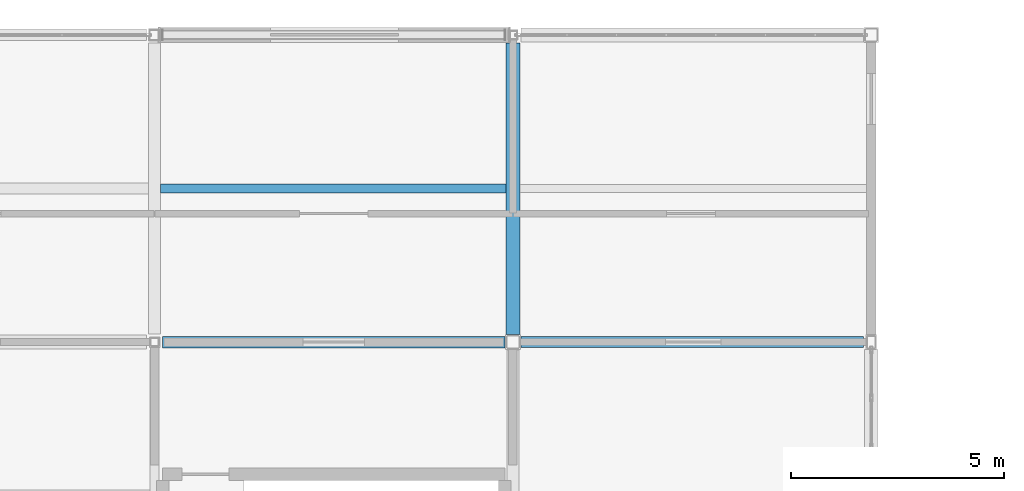
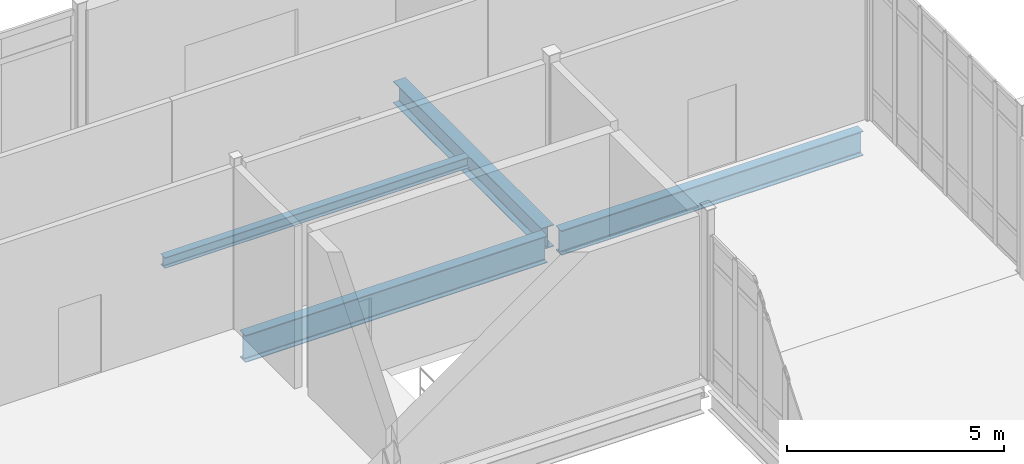
# One storey, part 66 of 153: 4 beams.
"""IFC4 building model written with IfcOpenShell, lengths in metres."""

from ifc_helpers import new_model, si_unit, direction, frame, origin, origin_2d, place, context, subcontext, project, spatial, i_section, extrude, material, material_profile, profile_set, type_object, element, save


model = new_model("IFC4")

# Units and contexts
model_context = context("Model", 3, precision=1e-05, world=origin(), true_north=direction((0.0, 1.0)))
body_context = subcontext(model_context, "Body", "Model", "MODEL_VIEW")
ifc_project = project(units=[si_unit("LENGTHUNIT", "METRE"), si_unit("AREAUNIT", "SQUARE_METRE"), si_unit("VOLUMEUNIT", "CUBIC_METRE"), si_unit("PLANEANGLEUNIT", "RADIAN"), si_unit("MASSUNIT", "GRAM", prefix="KILO")], contexts=[model_context])

# Site, building, storey
site_placement = place(None, origin())
site = spatial("IfcSite", under=ifc_project, at=site_placement, CompositionType="ELEMENT")
building_placement = place(site_placement, origin())
building = spatial("IfcBuilding", under=site, at=building_placement, Name="Calvrana Isthmian Art Gallery", CompositionType="ELEMENT")
storey_placement = place(building_placement, frame((0.0, 0.0, 10.199951171875)))
storey = spatial("IfcBuildingStorey", under=building, at=storey_placement, Name="L02", CompositionType="ELEMENT", Elevation=10.199951171875)

# Beams
ifc_material = material(Name="Steel ASTM A992 Gr 50", Category="steel")
ifc_material_profile_1 = material_profile(ifc_material, i_section(OverallWidth=0.324951171875, OverallDepth=0.612060546875, WebThickness=0.0126953125, FlangeThickness=0.01904296875, FilletRadius=0.02197265625, at=origin_2d()), Name="W24X104")
ifc_profile_set_1 = profile_set([ifc_material_profile_1], Name="Steel ASTM A992 Gr 50")
beam_type_1 = type_object("IfcBeamType", Name="BM-G-W24X104", PredefinedType="BEAM", material=ifc_profile_set_1)
beam_1_placement = place(storey_placement, frame((55.199951171875, 105.781494140625, -0.571044921875), z_axis=(0.0, 1.0, 0.0), x_axis=(-1.0, 0.0, 0.0)))
element("IfcBeam", 1, at=beam_1_placement, inside=storey, type_object=beam_type_1, Name="Girder Y L02 08/O-P", PredefinedType="BEAM", context=body_context, shape_type="SweptSolid", body=[
    extrude(i_section(OverallWidth=0.324951171875, OverallDepth=0.612060546875, WebThickness=0.0126953125, FlangeThickness=0.01904296875, FilletRadius=0.02197265625, at=origin_2d()), origin(), (0.0, 0.0, 1.0), 6.83447265625),
])
ifc_material_profile_2 = material_profile(ifc_material, i_section(OverallWidth=0.257080078125, OverallDepth=0.693115234375, WebThickness=0.014404296875, FlangeThickness=0.023681640625, FilletRadius=0.02392578125, at=origin_2d()), Name="W27X114")
ifc_profile_set_2 = profile_set([ifc_material_profile_2], Name="Steel ASTM A992 Gr 50")
beam_type_2 = type_object("IfcBeamType", Name="BM-G-W27X114", PredefinedType="BEAM", material=ifc_profile_set_2)
beam_2_placement = place(storey_placement, frame((55.385498046875, 105.60009765625, -0.611572265625), z_axis=(1.0, 0.0, 0.0), x_axis=(0.0, 1.0, 0.0)))
element("IfcBeam", 2, at=beam_2_placement, inside=storey, type_object=beam_type_2, Name="Girder X L02 08-09/O", PredefinedType="BEAM", context=body_context, shape_type="SweptSolid", body=[
    extrude(i_section(OverallWidth=0.257080078125, OverallDepth=0.693115234375, WebThickness=0.014404296875, FlangeThickness=0.023681640625, FilletRadius=0.02392578125, at=origin_2d()), origin(), (0.0, 0.0, 1.0), 8.030517578125),
])
ifc_material_profile_3 = material_profile(ifc_material, i_section(OverallWidth=0.26708984375, OverallDepth=0.761962890625, WebThickness=0.014404296875, FlangeThickness=0.021484375, FilletRadius=0.02490234375, at=origin_2d()), Name="W30X116")
ifc_profile_set_3 = profile_set([ifc_material_profile_3], Name="Steel ASTM A992 Gr 50")
beam_type_3 = type_object("IfcBeamType", Name="BM-G-W30X116", PredefinedType="BEAM", material=ifc_profile_set_3)
beam_3_placement = place(storey_placement, frame((46.986572265625, 105.60009765625, -0.64599609375), z_axis=(1.0, 0.0, 0.0), x_axis=(0.0, 1.0, 0.0)))
element("IfcBeam", 3, at=beam_3_placement, inside=storey, type_object=beam_type_3, Name="Girder X L02 07-08/O", PredefinedType="BEAM", context=body_context, shape_type="SweptSolid", body=[
    extrude(i_section(OverallWidth=0.26708984375, OverallDepth=0.761962890625, WebThickness=0.014404296875, FlangeThickness=0.021484375, FilletRadius=0.02490234375, at=origin_2d()), origin(), (0.0, 0.0, 1.0), 8.02783203125),
])
ifc_material_profile_4 = material_profile(ifc_material, i_section(OverallWidth=0.202880859375, OverallDepth=0.302001953125, WebThickness=0.007568359375, FlangeThickness=0.01318359375, FilletRadius=0.01611328125, at=origin_2d()), Name="W12X40")
ifc_profile_set_4 = profile_set([ifc_material_profile_4], Name="Steel ASTM A992 Gr 50")
beam_type_4 = type_object("IfcBeamType", Name="BM-J-W12X40", PredefinedType="JOIST", material=ifc_profile_set_4)
beam_4_placement = place(storey_placement, frame((46.939453125, 109.199951171875, -0.416015625), z_axis=(1.0, 0.0, 0.0), x_axis=(0.0, 1.0, 0.0)))
element("IfcBeam", 4, at=beam_4_placement, inside=storey, type_object=beam_type_4, Name="Composite joist L02 bay 06-14", PredefinedType="JOIST", context=body_context, shape_type="SweptSolid", body=[
    extrude(i_section(OverallWidth=0.202880859375, OverallDepth=0.302001953125, WebThickness=0.007568359375, FlangeThickness=0.01318359375, FilletRadius=0.01611328125, at=origin_2d()), origin(), (0.0, 0.0, 1.0), 8.09814453125),
])

save(model, "model.ifc")
